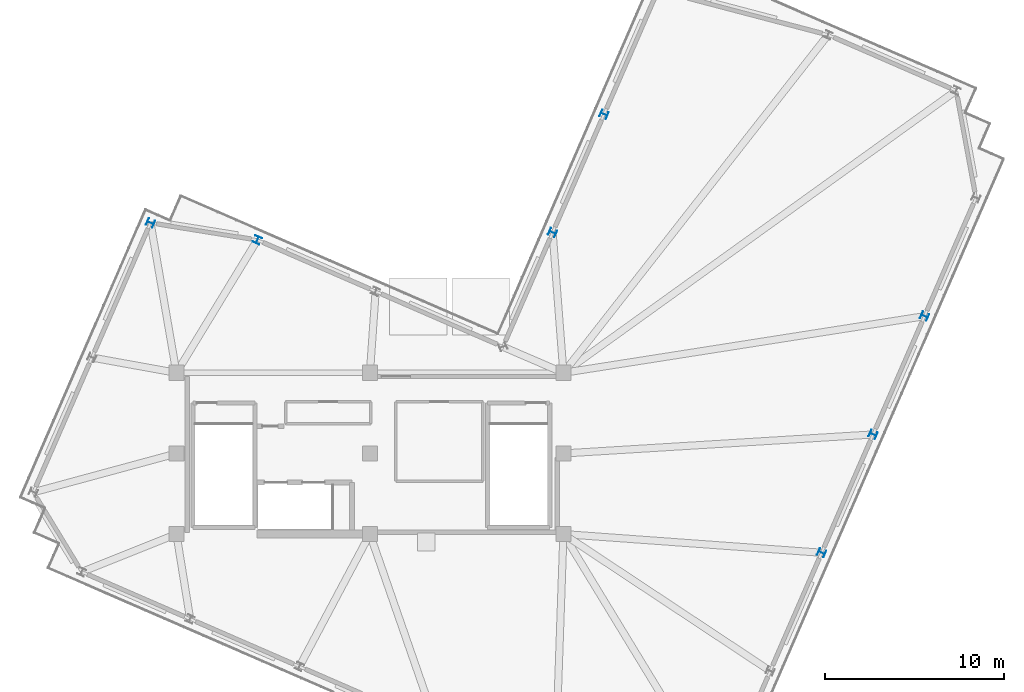
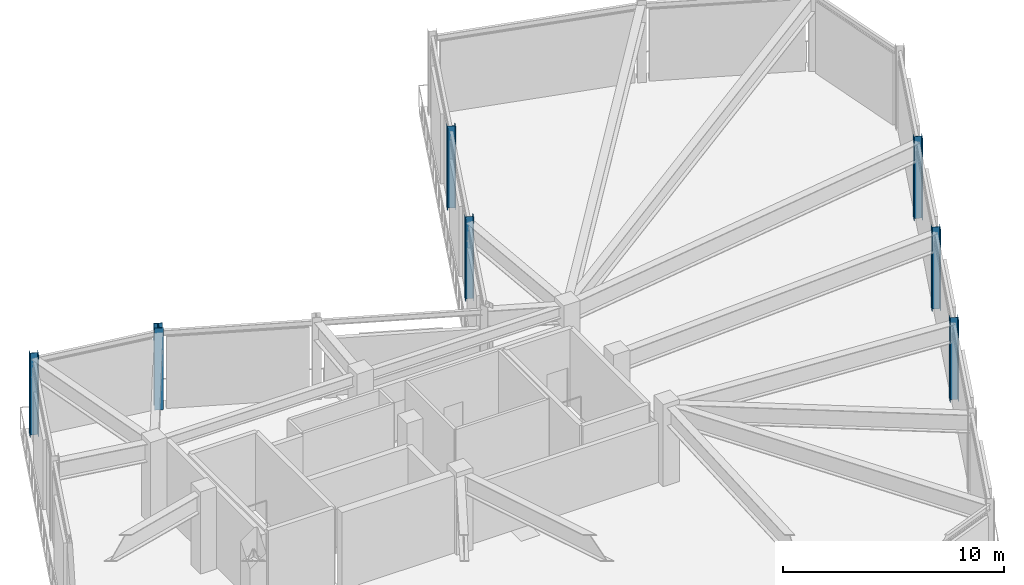
# One storey, part 2 of 7: 7 columns.
"""IFC4 building model written with IfcOpenShell, lengths in metres."""

import ifcopenshell
import ifcopenshell.guid

model = None  # the IFC model being written
_history = None  # IfcOwnerHistory: only IFC2X3 demands one
_inside = {}  # id of a spatial element -> (the spatial element, [elements in it])
_under = {}  # id of a project, library or spatial element -> (it, [spatial elements below it])
_declared = {}  # id of a project -> (the project, [libraries it declares])
_typed = {}  # id of a type object -> (the type object, [elements of that type])
_made_of = {}  # id of a material, layer set ... -> (it, [elements and type objects made of it])


def new_model(schema):
    """Start an empty IFC model of exactly this schema.

    Asked for "IFC4X3", IfcOpenShell would pick the latest addendum, in which some entities
    have other attributes; the version numbers below select the first issue.
    IFC2X3 requires an IfcOwnerHistory on every rooted entity: one is made here for all.
    """
    global model, _history
    if schema == "IFC4X3":
        model = ifcopenshell.file(schema_version=(4, 3, 0, 0))
    else:
        model = ifcopenshell.file(schema=schema)
    _inside.clear()
    _under.clear()
    _declared.clear()
    _typed.clear()
    _made_of.clear()
    _history = None
    if model.schema == "IFC2X3":
        org = make("IfcOrganization", Name="unknown")
        user = make(
            "IfcPersonAndOrganization",
            ThePerson=make("IfcPerson", FamilyName="unknown"),
            TheOrganization=org,
        )
        app = make(
            "IfcApplication",
            ApplicationDeveloper=org,
            Version="unknown",
            ApplicationFullName="unknown",
            ApplicationIdentifier="unknown",
        )
        _history = make(
            "IfcOwnerHistory",
            OwningUser=user,
            OwningApplication=app,
            ChangeAction="ADDED",
            CreationDate=0,
        )
    return model


def make(cls, **values):
    """One entity of the class cls with the attributes given. An attribute that is None is left unset."""
    return model.create_entity(
        cls, **{name: value for name, value in values.items() if value is not None}
    )


def rooted(cls, **values):
    """An entity with a GlobalId (a new one), such as an element, a storey or a relation."""
    return make(cls, GlobalId=ifcopenshell.guid.new(), OwnerHistory=_history, **values)


def si_unit(unit_type, name, prefix=None):
    """IfcSIUnit, for example si_unit("LENGTHUNIT", "METRE", prefix="MILLI")."""
    return make("IfcSIUnit", UnitType=unit_type, Prefix=prefix, Name=name)


def assignment(units):
    """IfcUnitAssignment: the units of a project."""
    return None if units is None else make("IfcUnitAssignment", Units=units)


def point(xyz):
    """IfcCartesianPoint."""
    return None if xyz is None else make("IfcCartesianPoint", Coordinates=xyz)


def direction(xyz):
    """IfcDirection."""
    return None if xyz is None else make("IfcDirection", DirectionRatios=xyz)


def frame(location, z_axis=None, x_axis=None):
    """IfcAxis2Placement3D, a coordinate frame: its origin and axes. An axis left out is left unset."""
    return make(
        "IfcAxis2Placement3D",
        Location=point(location),
        Axis=direction(z_axis),
        RefDirection=direction(x_axis),
    )


def frame_2d(location, x_axis=None):
    """IfcAxis2Placement2D, a coordinate frame in the plane: its origin and x axis."""
    return make(
        "IfcAxis2Placement2D", Location=point(location), RefDirection=direction(x_axis)
    )


def origin():
    """The frame at (0, 0, 0) with its axes left unset."""
    return frame((0.0, 0.0, 0.0))


def origin_2d():
    """The frame at (0, 0) in the plane with its x axis left unset."""
    return frame_2d((0.0, 0.0))


def place(relative_to, where):
    """IfcLocalPlacement: puts the frame where relative to a parent placement (None: the world)."""
    return make(
        "IfcLocalPlacement", PlacementRelTo=relative_to, RelativePlacement=where
    )


def context(
    kind, dimensions, precision=None, world=None, true_north=None, identifier=None
):
    """IfcGeometricRepresentationContext, for example the 3D "Model" context."""
    return make(
        "IfcGeometricRepresentationContext",
        ContextIdentifier=identifier,
        ContextType=kind,
        CoordinateSpaceDimension=dimensions,
        Precision=precision,
        WorldCoordinateSystem=world,
        TrueNorth=true_north,
    )


def subcontext(parent, identifier, kind, view, scale=None):
    """IfcGeometricRepresentationSubContext, for example "Body" below "Model"."""
    return make(
        "IfcGeometricRepresentationSubContext",
        ContextIdentifier=identifier,
        ContextType=kind,
        ParentContext=parent,
        TargetScale=scale,
        TargetView=view,
    )


def project(units=None, contexts=None):
    """IfcProject with its units and contexts."""
    return rooted(
        "IfcProject",
        Name="project",
        RepresentationContexts=contexts,
        UnitsInContext=assignment(units),
    )


def spatial(cls, under=None, at=None, **own):
    """A site, building, storey or space (cls), placed at a placement, below another one or the project."""
    s = rooted(cls, ObjectPlacement=at, **own)
    if under is not None:
        _under.setdefault(under.id(), (under, []))[1].append(s)
    return s


def profile(cls, at=None, kind="AREA", **sizes):
    """A parametric profile (cls). Its sizes go by their IFC names, for example OverallWidth=200.0."""
    return make(cls, ProfileType=kind, Position=at, **sizes)


def i_section(**sizes):
    """IfcIShapeProfileDef."""
    return profile("IfcIShapeProfileDef", **sizes)


def extrude(swept, where, along, depth):
    """IfcExtrudedAreaSolid: the profile swept, set in the frame where, extruded along a direction by depth."""
    return make(
        "IfcExtrudedAreaSolid",
        SweptArea=swept,
        Position=where,
        ExtrudedDirection=direction(along),
        Depth=depth,
    )


def shape(context_of_items, identifier, shape_type, items):
    """IfcShapeRepresentation: the items that make up one representation, for example the "Body"."""
    return make(
        "IfcShapeRepresentation",
        ContextOfItems=context_of_items,
        RepresentationIdentifier=identifier,
        RepresentationType=shape_type,
        Items=items,
    )


def material(Name=None, Category=None):
    """IfcMaterial."""
    return make("IfcMaterial", Name=Name, Category=Category)


def material_profile(
    of_material, cross_section, Name=None, Category=None, Priority=None
):
    """IfcMaterialProfile: a cross section and its material."""
    return make(
        "IfcMaterialProfile",
        Name=Name,
        Material=of_material,
        Profile=cross_section,
        Priority=Priority,
        Category=Category,
    )


def profile_set(profiles, Name=None, composite=None):
    """IfcMaterialProfileSet."""
    return make(
        "IfcMaterialProfileSet",
        Name=Name,
        MaterialProfiles=profiles,
        CompositeProfile=composite,
    )


def made_of(thing, what):
    """Note that an element or type object is made of a material, layer set ...; save() writes the relation."""
    if what is not None:
        _made_of.setdefault(what.id(), (what, []))[1].append(thing)
    return thing


def type_object(cls, material=None, **own):
    """A type object (cls), such as IfcWallType, which elements share."""
    return made_of(rooted(cls, **own), material)


def element(
    cls,
    number,
    at=None,
    inside=None,
    cuts=None,
    type_object=None,
    material=None,
    context=None,
    identifier="Body",
    shape_type=None,
    held_by="IfcProductDefinitionShape",
    body=None,
    shapes=None,
    **own,
):
    """One element of the class cls, such as IfcWall. Its Tag is "e" and its number.

    at: its placement. inside: the storey or other place that contains it. cuts: it is an
    opening in that element (IfcRelVoidsElement). A single representation is given by context,
    identifier, shape_type and body (its items); several are given by shapes. held_by: the class
    of the entity that holds the representations. save() writes the other relations.
    """
    e = rooted(cls, Tag="e%d" % number, ObjectPlacement=at, **own)
    if body is not None:
        shapes = [shape(context, identifier, shape_type, body)]
    if shapes is not None:
        e.Representation = make(held_by, Representations=shapes)
    if inside is not None:
        _inside.setdefault(inside.id(), (inside, []))[1].append(e)
    if cuts is not None:
        rooted(
            "IfcRelVoidsElement", RelatingBuildingElement=cuts, RelatedOpeningElement=e
        )
    if type_object is not None:
        _typed.setdefault(type_object.id(), (type_object, []))[1].append(e)
    return made_of(e, material)


def aggregate(whole, parts):
    """IfcRelAggregates: a whole, such as a stair, and the parts it consists of."""
    return rooted("IfcRelAggregates", RelatingObject=whole, RelatedObjects=parts)


def save(model, path):
    """Write the relations noted so far, then the file.

    IfcRelAggregates (storeys below a building ...), IfcRelContainedInSpatialStructure (elements
    in a storey), IfcRelDefinesByType, IfcRelAssociatesMaterial and IfcRelDeclares: one each for
    every whole, place, type object, material and project.
    """
    for whole, parts in _under.values():
        aggregate(whole, parts)
    for where, things in _inside.values():
        rooted(
            "IfcRelContainedInSpatialStructure",
            RelatedElements=things,
            RelatingStructure=where,
        )
    for kind, things in _typed.values():
        rooted("IfcRelDefinesByType", RelatedObjects=things, RelatingType=kind)
    for what, things in _made_of.values():
        rooted("IfcRelAssociatesMaterial", RelatedObjects=things, RelatingMaterial=what)
    for by, libraries in _declared.values():
        rooted("IfcRelDeclares", RelatingContext=by, RelatedDefinitions=libraries)
    model.write(path)


model = new_model("IFC4")

# Units and contexts
model_context = context("Model", 3, precision=1e-05, world=origin(), true_north=direction((0.0, 1.0)))
body_context = subcontext(model_context, "Body", "Model", "MODEL_VIEW")
ifc_project = project(units=[si_unit("LENGTHUNIT", "METRE"), si_unit("AREAUNIT", "SQUARE_METRE"), si_unit("VOLUMEUNIT", "CUBIC_METRE"), si_unit("PLANEANGLEUNIT", "RADIAN"), si_unit("MASSUNIT", "GRAM", prefix="KILO")], contexts=[model_context])

# Site, building, storey
site_placement = place(None, origin())
site = spatial("IfcSite", under=ifc_project, at=site_placement, CompositionType="ELEMENT")
building_placement = place(site_placement, origin())
building = spatial("IfcBuilding", under=site, at=building_placement, Name="Gaonmaruhae Medical Tower", CompositionType="ELEMENT")
storey_placement = place(building_placement, frame((0.0, 0.0, 347.800048828125)))
storey = spatial("IfcBuildingStorey", under=building, at=storey_placement, Name="RF", CompositionType="ELEMENT", Elevation=347.800048828125)

# Columns
ifc_material = material(Name="Steel SM420", Category="steel")
ifc_material_profile = material_profile(ifc_material, i_section(OverallWidth=0.39990234375, OverallDepth=0.39990234375, WebThickness=0.012939453125, FlangeThickness=0.02099609375, FilletRadius=0.02197265625, at=origin_2d()), Name="H-400x400x13x21")
ifc_profile_set = profile_set([ifc_material_profile], Name="Steel SM420")
column_type = type_object("IfcColumnType", Name="SC-02 Crown Perimeter Louvred Column (H-400x400x13x21)", PredefinedType="COLUMN", material=ifc_profile_set)
for number, where, z_axis, x_axis, name in (
    (1, (50.01708984375, 6.75732421875, 0.001708984375), (0.0, 0.0, 1.0), (0.398749068925, 0.917060074385, 0.0), "RF Perimeter Tube Column S03"),
    (2, (52.88818359375, 13.360107421875, 0.001708984375), (0.0, 0.0, 1.0), (0.398749068925, 0.917060074385, 0.0), "RF Perimeter Tube Column S04"),
    (3, (55.759033203125, 19.962890625, 0.001708984375), (0.0, 0.0, 1.0), (0.398749068925, 0.917060074385, 0.0), "RF Perimeter Tube Column S05"),
    (4, (37.868408203125, 31.2314453125, 0.001708984375), (0.0, 0.0, 1.0), (0.398749068925, 0.917060074385, 0.0), "RF Perimeter Tube Column EN01"),
    (5, (34.99755859375, 24.62841796875, 0.001708984375), (0.0, 0.0, 1.0), (0.398749068925, 0.917060074385, 0.0), "RF Perimeter Tube Column EN02"),
    (6, (18.51611328125, 24.21630859375, 0.001708984375), (0.0, 0.0, 1.0), (-0.917060074385, 0.398749068925, 0.0), "RF Perimeter Tube Column NE02"),
    (7, (12.55322265625, 25.17333984375, 0.001708984375), (0.0, 0.0, 1.0), (0.398749068925, 0.917060074385, 0.0), "RF Perimeter Tube Column N01"),
):
    element("IfcColumn", number, at=place(storey_placement, frame(where, z_axis=z_axis, x_axis=x_axis)), inside=storey, type_object=column_type, Name=name, PredefinedType="COLUMN", context=body_context, shape_type="SweptSolid", body=[
        extrude(i_section(OverallWidth=0.39990234375, OverallDepth=0.39990234375, WebThickness=0.012939453125, FlangeThickness=0.02099609375, FilletRadius=0.02197265625, at=origin_2d()), origin(), (0.0, 0.0, 1.0), 4.536376953125),
    ])

save(model, "model.ifc")
